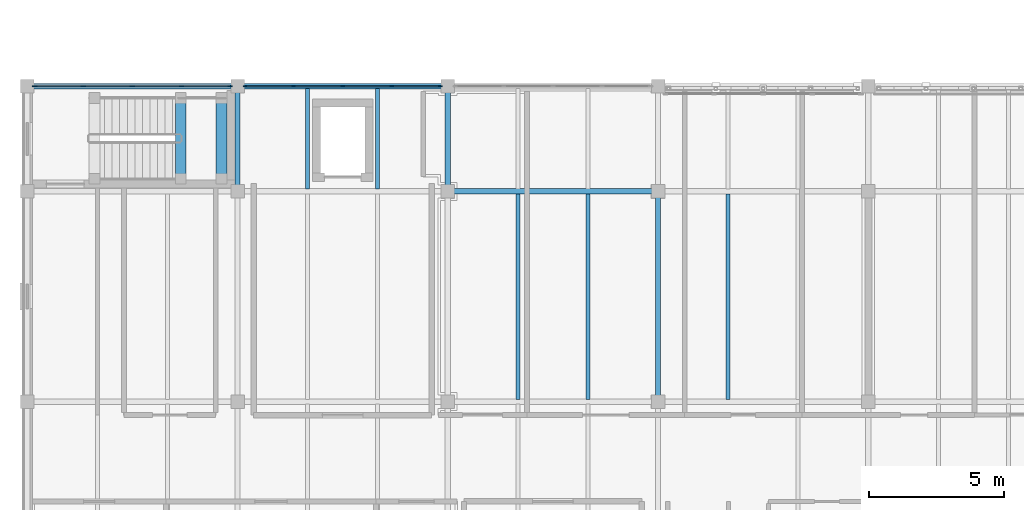
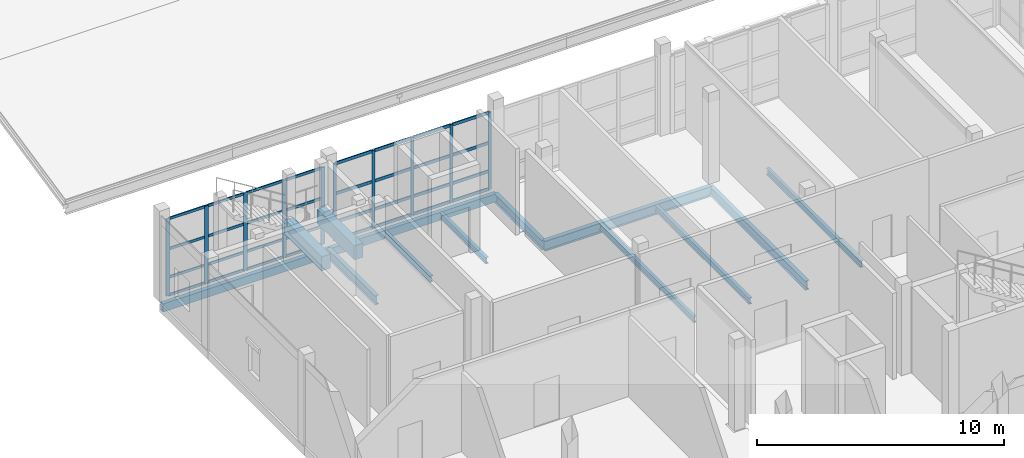
# One storey, part 6 of 89: 42 members, 13 beams, 2 elements without a shape of their own.
"""IFC4 building model written with IfcOpenShell, lengths in metres."""

from ifc_helpers import new_model, si_unit, direction, frame, origin, origin_2d, place, context, subcontext, project, spatial, rectangle, hollow_rectangle, i_section, extrude, material, layer, layer_set, material_profile, profile_set, type_object, element, aggregate, save


model = new_model("IFC4")

# Units and contexts
model_context = context("Model", 3, precision=1e-05, world=origin(), true_north=direction((0.0, 1.0)))
body_context = subcontext(model_context, "Body", "Model", "MODEL_VIEW")
ifc_project = project(units=[si_unit("LENGTHUNIT", "METRE"), si_unit("AREAUNIT", "SQUARE_METRE"), si_unit("VOLUMEUNIT", "CUBIC_METRE"), si_unit("PLANEANGLEUNIT", "RADIAN"), si_unit("MASSUNIT", "GRAM", prefix="KILO")], contexts=[model_context])

# Site, building, storey
site_placement = place(None, origin())
site = spatial("IfcSite", under=ifc_project, at=site_placement, CompositionType="ELEMENT")
building_placement = place(site_placement, origin())
building = spatial("IfcBuilding", under=site, at=building_placement, Name="Celorna Specialist Clinic", CompositionType="ELEMENT")
storey_placement = place(building_placement, frame((0.0, 0.0, 14.10009765625)))
storey = spatial("IfcBuildingStorey", under=building, at=storey_placement, Name="L03", CompositionType="ELEMENT", Elevation=14.10009765625)

# Beams
ifc_material_1 = material(Name="Steel S355", Category="steel")
ifc_material_profile_1 = material_profile(ifc_material_1, i_section(OverallWidth=0.199951171875, OverallDepth=0.5, WebThickness=0.01025390625, FlangeThickness=0.01611328125, at=origin_2d()), Name="IPE 500")
ifc_profile_set_1 = profile_set([ifc_material_profile_1], Name="Steel S355")
beam_type_1 = type_object("IfcBeamType", Name="BM-08", PredefinedType="BEAM", material=ifc_profile_set_1)
beam_1_placement = place(storey_placement, frame((15.60009765625, 23.39990234375, -0.510009765625), z_axis=(1.0, 0.0, 0.0), x_axis=(0.0, 1.0, 0.0)))
element("IfcBeam", 1, at=beam_1_placement, inside=storey, type_object=beam_type_1, Name="Primary girder BM-08 #1847", PredefinedType="BEAM", context=body_context, shape_type="SweptSolid", body=[
    extrude(i_section(OverallWidth=0.199951171875, OverallDepth=0.5, WebThickness=0.01025390625, FlangeThickness=0.01611328125, at=origin_2d()), origin(), (0.0, 0.0, 1.0), 7.7998046875),
])
ifc_material_profile_2 = material_profile(ifc_material_1, i_section(OverallWidth=0.18994140625, OverallDepth=0.449951171875, WebThickness=0.009521484375, FlangeThickness=0.0146484375, at=origin_2d()), Name="IPE 450")
ifc_profile_set_2 = profile_set([ifc_material_profile_2], Name="Steel S355")
beam_type_2 = type_object("IfcBeamType", Name="BM-09", PredefinedType="BEAM", material=ifc_profile_set_2)
for number, where, z_axis, x_axis, name in (
    (2, (7.800048828125, 23.39990234375, -0.485107421875), (0.0, 1.0, 0.0), (-1.0, 0.0, 0.0), "Transverse girder BM-09 #1864"),
    (3, (15.60009765625, 23.39990234375, -0.485107421875), (0.0, 1.0, 0.0), (-1.0, 0.0, 0.0), "Transverse girder BM-09 #1869"),
):
    element("IfcBeam", number, at=place(storey_placement, frame(where, z_axis=z_axis, x_axis=x_axis)), inside=storey, type_object=beam_type_2, Name=name, PredefinedType="BEAM", context=body_context, shape_type="SweptSolid", body=[
        extrude(i_section(OverallWidth=0.18994140625, OverallDepth=0.449951171875, WebThickness=0.009521484375, FlangeThickness=0.0146484375, at=origin_2d()), origin(), (0.0, 0.0, 1.0), 3.900146484375),
    ])
beam_2_placement = place(storey_placement, frame((23.39990234375, 15.60009765625, -0.485107421875), z_axis=(0.0, 1.0, 0.0), x_axis=(-1.0, 0.0, 0.0)))
element("IfcBeam", 4, at=beam_2_placement, inside=storey, type_object=beam_type_2, Name="Transverse girder BM-09 #1873", PredefinedType="BEAM", context=body_context, shape_type="SweptSolid", body=[
    extrude(i_section(OverallWidth=0.18994140625, OverallDepth=0.449951171875, WebThickness=0.009521484375, FlangeThickness=0.0146484375, at=origin_2d()), origin(), (0.0, 0.0, 1.0), 7.7998046875),
])
ifc_material_profile_3 = material_profile(ifc_material_1, i_section(OverallWidth=0.14990234375, OverallDepth=0.300048828125, WebThickness=0.007080078125, FlangeThickness=0.0107421875, at=origin_2d()), Name="IPE 300")
ifc_profile_set_3 = profile_set([ifc_material_profile_3], Name="Steel S355")
beam_type_3 = type_object("IfcBeamType", Name="BM-13", PredefinedType="JOIST", material=ifc_profile_set_3)
for number, where, z_axis, x_axis, name in (
    (5, (10.39990234375, 23.488037109375, -0.41015625), (0.0, 1.0, 0.0), (-1.0, 0.0, 0.0), "Secondary floor joist BM-13 #1901"),
    (6, (13.0, 23.488037109375, -0.41015625), (0.0, 1.0, 0.0), (-1.0, 0.0, 0.0), "Secondary floor joist BM-13 #1902"),
):
    element("IfcBeam", number, at=place(storey_placement, frame(where, z_axis=z_axis, x_axis=x_axis)), inside=storey, type_object=beam_type_3, Name=name, PredefinedType="JOIST", context=body_context, shape_type="SweptSolid", body=[
        extrude(i_section(OverallWidth=0.14990234375, OverallDepth=0.300048828125, WebThickness=0.007080078125, FlangeThickness=0.0107421875, at=origin_2d()), origin(), (0.0, 0.0, 1.0), 3.723876953125),
    ])
for number, where, z_axis, x_axis, name in (
    (7, (18.199951171875, 15.68798828125, -0.41015625), (0.0, 1.0, 0.0), (-1.0, 0.0, 0.0), "Secondary floor joist BM-13 #1909"),
    (8, (20.800048828125, 15.68798828125, -0.41015625), (0.0, 1.0, 0.0), (-1.0, 0.0, 0.0), "Secondary floor joist BM-13 #1910"),
    (9, (26.0, 15.68798828125, -0.41015625), (0.0, 1.0, 0.0), (-1.0, 0.0, 0.0), "Secondary floor joist BM-13 #1916"),
):
    element("IfcBeam", number, at=place(storey_placement, frame(where, z_axis=z_axis, x_axis=x_axis)), inside=storey, type_object=beam_type_3, Name=name, PredefinedType="JOIST", context=body_context, shape_type="SweptSolid", body=[
        extrude(i_section(OverallWidth=0.14990234375, OverallDepth=0.300048828125, WebThickness=0.007080078125, FlangeThickness=0.0107421875, at=origin_2d()), origin(), (0.0, 0.0, 1.0), 7.6240234375),
    ])
ifc_material_profile_4 = material_profile(ifc_material_1, hollow_rectangle(XDim=0.199951171875, YDim=0.39990234375, WallThickness=0.011962890625, at=origin_2d()), Name="RHS 200x400x12")
ifc_profile_set_4 = profile_set([ifc_material_profile_4], Name="Steel S355")
beam_type_4 = type_object("IfcBeamType", Name="BM-15", PredefinedType="SPANDREL", material=ifc_profile_set_4)
for number, where, z_axis, x_axis, name in (
    (10, (0.0, 27.300048828125, -0.460205078125), (1.0, 0.0, 0.0), (0.0, 1.0, 0.0), "Spandrel beam BM-15 #1850"),
    (11, (7.800048828125, 27.300048828125, -0.460205078125), (1.0, 0.0, 0.0), (0.0, 1.0, 0.0), "Spandrel beam BM-15 #1851"),
):
    element("IfcBeam", number, at=place(storey_placement, frame(where, z_axis=z_axis, x_axis=x_axis)), inside=storey, type_object=beam_type_4, Name=name, PredefinedType="SPANDREL", context=body_context, shape_type="SweptSolid", body=[
        extrude(hollow_rectangle(XDim=0.199951171875, YDim=0.39990234375, WallThickness=0.011962890625, at=origin_2d()), origin(), (0.0, 0.0, 1.0), 7.800048828125),
    ])
ifc_material_2 = material(Name="Concrete C35/45", Category="concrete")
ifc_material_profile_5 = material_profile(ifc_material_2, rectangle(XDim=0.39990234375, YDim=0.699951171875, at=origin_2d()), Name="RC 400x700")
ifc_profile_set_5 = profile_set([ifc_material_profile_5], Name="Concrete C35/45")
beam_type_5 = type_object("IfcBeamType", Name="BM-19", PredefinedType="BEAM", material=ifc_profile_set_5)
for number, where, z_axis, x_axis, name in (
    (12, (5.68994140625, 23.8701171875, 1.824951171875), (0.0, 1.0, 0.0), (-1.0, 0.0, 0.0), "Stair ST-04 half-landing beam L03"),
    (13, (7.2099609375, 23.8701171875, 1.824951171875), (0.0, 1.0, 0.0), (-1.0, 0.0, 0.0), "Stair ST-04 half-landing beam L03"),
):
    element("IfcBeam", number, at=place(storey_placement, frame(where, z_axis=z_axis, x_axis=x_axis)), inside=storey, type_object=beam_type_5, Name=name, PredefinedType="BEAM", context=body_context, shape_type="SweptSolid", body=[
        extrude(rectangle(XDim=0.39990234375, YDim=0.699951171875, at=origin_2d()), origin(), (0.0, 0.0, 1.0), 3.0),
    ])

# Curtain wall, members
ifc_material_3 = material(Name="Thermally broken aluminium and solar-control glass curtain wall", Category="aluminium")
ifc_layer_1 = layer(ifc_material_3, 0.159912109375, Name="Thermally broken aluminium and solar-control glass curtain wall")
ifc_layer_set_1 = layer_set([ifc_layer_1], Name="Thermally broken aluminium and solar-control glass curtain wall")
curtain_wall_type_1 = type_object("IfcCurtainWallType", Name="CW-94", PredefinedType="NOTDEFINED", material=ifc_layer_set_1)
curtain_wall_1_placement = place(storey_placement, origin())
curtain_wall_1 = element("IfcCurtainWall", 14, at=curtain_wall_1_placement, inside=storey, type_object=curtain_wall_type_1, Name="Curtain wall CW-94 #170", PredefinedType="NOTDEFINED")
ifc_material_4 = material(Name="Anodized aluminium mullion", Category="aluminium")
ifc_material_profile_6 = material_profile(ifc_material_4, rectangle(XDim=0.050048828125, YDim=0.179931640625, at=origin_2d()), Name="ALU MULLION 50x180")
ifc_profile_set_6 = profile_set([ifc_material_profile_6], Name="Anodized aluminium mullion")
member_type_1 = type_object("IfcMemberType", Name="ML-02", PredefinedType="MULLION", material=ifc_profile_set_6)
member_1_placement = place(storey_placement, frame((0.279052734375, 27.300048828125, 0.0), z_axis=(0.0, 0.0, 1.0), x_axis=(0.0, 1.0, 0.0)))
member_1 = element("IfcMember", 15, at=member_1_placement, type_object=member_type_1, Name="CW-94 mullion 1", PredefinedType="MULLION", context=body_context, shape_type="SweptSolid", body=[
    extrude(rectangle(XDim=0.050048828125, YDim=0.179931640625, at=origin_2d()), origin(), (0.0, 0.0, 1.0), 3.81982421875),
])
member_2_placement = place(storey_placement, frame((2.076904296875, 27.300048828125, 0.0), z_axis=(0.0, 0.0, 1.0), x_axis=(0.0, 1.0, 0.0)))
member_2 = element("IfcMember", 16, at=member_2_placement, type_object=member_type_1, Name="CW-94 mullion 2", PredefinedType="MULLION", context=body_context, shape_type="SweptSolid", body=[
    extrude(rectangle(XDim=0.050048828125, YDim=0.179931640625, at=origin_2d()), origin(), (0.0, 0.0, 1.0), 3.81982421875),
])
member_3_placement = place(storey_placement, frame((3.89990234375, 27.300048828125, 0.0), z_axis=(0.0, 0.0, 1.0), x_axis=(0.0, 1.0, 0.0)))
member_3 = element("IfcMember", 17, at=member_3_placement, type_object=member_type_1, Name="CW-94 mullion 3", PredefinedType="MULLION", context=body_context, shape_type="SweptSolid", body=[
    extrude(rectangle(XDim=0.050048828125, YDim=0.179931640625, at=origin_2d()), origin(), (0.0, 0.0, 1.0), 3.81982421875),
])
member_4_placement = place(storey_placement, frame((5.722900390625, 27.300048828125, 0.0), z_axis=(0.0, 0.0, 1.0), x_axis=(0.0, 1.0, 0.0)))
member_4 = element("IfcMember", 18, at=member_4_placement, type_object=member_type_1, Name="CW-94 mullion 4", PredefinedType="MULLION", context=body_context, shape_type="SweptSolid", body=[
    extrude(rectangle(XDim=0.050048828125, YDim=0.179931640625, at=origin_2d()), origin(), (0.0, 0.0, 1.0), 3.81982421875),
])
member_5_placement = place(storey_placement, frame((7.52099609375, 27.300048828125, 0.0), z_axis=(0.0, 0.0, 1.0), x_axis=(0.0, 1.0, 0.0)))
member_5 = element("IfcMember", 19, at=member_5_placement, type_object=member_type_1, Name="CW-94 mullion 5", PredefinedType="MULLION", context=body_context, shape_type="SweptSolid", body=[
    extrude(rectangle(XDim=0.050048828125, YDim=0.179931640625, at=origin_2d()), origin(), (0.0, 0.0, 1.0), 3.81982421875),
])

ifc_layer_2 = layer(ifc_material_3, 0.159912109375, Name="Thermally broken aluminium and solar-control glass curtain wall")
ifc_layer_set_2 = layer_set([ifc_layer_2], Name="Thermally broken aluminium and solar-control glass curtain wall")
curtain_wall_type_2 = type_object("IfcCurtainWallType", Name="CW-95", PredefinedType="NOTDEFINED", material=ifc_layer_set_2)
curtain_wall_2_placement = place(storey_placement, origin())
curtain_wall_2 = element("IfcCurtainWall", 20, at=curtain_wall_2_placement, inside=storey, type_object=curtain_wall_type_2, Name="Curtain wall CW-95 #171", PredefinedType="NOTDEFINED")
ifc_material_profile_7 = material_profile(ifc_material_4, rectangle(XDim=0.050048828125, YDim=0.139892578125, at=origin_2d()), Name="ALU MULLION 50x140")
ifc_profile_set_7 = profile_set([ifc_material_profile_7], Name="Anodized aluminium mullion")
member_type_2 = type_object("IfcMemberType", Name="ML-03", PredefinedType="MULLION", material=ifc_profile_set_7)
member_6_placement = place(storey_placement, frame((8.0791015625, 27.300048828125, 0.0), z_axis=(0.0, 0.0, 1.0), x_axis=(0.0, 1.0, 0.0)))
member_6 = element("IfcMember", 21, at=member_6_placement, type_object=member_type_2, Name="CW-95 mullion 1", PredefinedType="MULLION", context=body_context, shape_type="SweptSolid", body=[
    extrude(rectangle(XDim=0.050048828125, YDim=0.139892578125, at=origin_2d()), origin(), (0.0, 0.0, 1.0), 3.81982421875),
])
member_7_placement = place(storey_placement, frame((9.876953125, 27.300048828125, 0.0), z_axis=(0.0, 0.0, 1.0), x_axis=(0.0, 1.0, 0.0)))
member_7 = element("IfcMember", 22, at=member_7_placement, type_object=member_type_2, Name="CW-95 mullion 2", PredefinedType="MULLION", context=body_context, shape_type="SweptSolid", body=[
    extrude(rectangle(XDim=0.050048828125, YDim=0.139892578125, at=origin_2d()), origin(), (0.0, 0.0, 1.0), 3.81982421875),
])
member_8_placement = place(storey_placement, frame((11.699951171875, 27.300048828125, 0.0), z_axis=(0.0, 0.0, 1.0), x_axis=(0.0, 1.0, 0.0)))
member_8 = element("IfcMember", 23, at=member_8_placement, type_object=member_type_2, Name="CW-95 mullion 3", PredefinedType="MULLION", context=body_context, shape_type="SweptSolid", body=[
    extrude(rectangle(XDim=0.050048828125, YDim=0.139892578125, at=origin_2d()), origin(), (0.0, 0.0, 1.0), 3.81982421875),
])
member_9_placement = place(storey_placement, frame((13.52294921875, 27.300048828125, 0.0), z_axis=(0.0, 0.0, 1.0), x_axis=(0.0, 1.0, 0.0)))
member_9 = element("IfcMember", 24, at=member_9_placement, type_object=member_type_2, Name="CW-95 mullion 4", PredefinedType="MULLION", context=body_context, shape_type="SweptSolid", body=[
    extrude(rectangle(XDim=0.050048828125, YDim=0.139892578125, at=origin_2d()), origin(), (0.0, 0.0, 1.0), 3.81982421875),
])
member_10_placement = place(storey_placement, frame((15.321044921875, 27.300048828125, 0.0), z_axis=(0.0, 0.0, 1.0), x_axis=(0.0, 1.0, 0.0)))
member_10 = element("IfcMember", 25, at=member_10_placement, type_object=member_type_2, Name="CW-95 mullion 5", PredefinedType="MULLION", context=body_context, shape_type="SweptSolid", body=[
    extrude(rectangle(XDim=0.050048828125, YDim=0.139892578125, at=origin_2d()), origin(), (0.0, 0.0, 1.0), 3.81982421875),
])

# Member
ifc_material_5 = material(Name="Anodized aluminium transom", Category="aluminium")
ifc_material_profile_8 = material_profile(ifc_material_5, rectangle(XDim=0.050048828125, YDim=0.1298828125, at=origin_2d()), Name="ALU TRANSOM 50x130")
ifc_profile_set_8 = profile_set([ifc_material_profile_8], Name="Anodized aluminium transom")
member_type_3 = type_object("IfcMemberType", Name="TR-01", PredefinedType="USERDEFINED", material=ifc_profile_set_8)
member_11_placement = place(storey_placement, frame((0.303955078125, 27.300048828125, 0.02490234375), z_axis=(1.0, 0.0, 0.0), x_axis=(0.0, 1.0, 0.0)))
member_11 = element("IfcMember", 26, at=member_11_placement, type_object=member_type_3, Name="CW-94 transom 1.1", ObjectType="TRANSOM", PredefinedType="USERDEFINED", context=body_context, shape_type="SweptSolid", body=[
    extrude(rectangle(XDim=0.050048828125, YDim=0.1298828125, at=origin_2d()), origin(), (0.0, 0.0, 1.0), 1.748046875),
])

member_12_placement = place(storey_placement, frame((0.303955078125, 27.300048828125, 0.89990234375), z_axis=(1.0, 0.0, 0.0), x_axis=(0.0, 1.0, 0.0)))
member_12 = element("IfcMember", 27, at=member_12_placement, type_object=member_type_3, Name="CW-94 transom 1.2", ObjectType="TRANSOM", PredefinedType="USERDEFINED", context=body_context, shape_type="SweptSolid", body=[
    extrude(rectangle(XDim=0.050048828125, YDim=0.1298828125, at=origin_2d()), origin(), (0.0, 0.0, 1.0), 1.748046875),
])

member_13_placement = place(storey_placement, frame((0.303955078125, 27.300048828125, 2.2998046875), z_axis=(1.0, 0.0, 0.0), x_axis=(0.0, 1.0, 0.0)))
member_13 = element("IfcMember", 28, at=member_13_placement, type_object=member_type_3, Name="CW-94 transom 1.3", ObjectType="TRANSOM", PredefinedType="USERDEFINED", context=body_context, shape_type="SweptSolid", body=[
    extrude(rectangle(XDim=0.050048828125, YDim=0.1298828125, at=origin_2d()), origin(), (0.0, 0.0, 1.0), 1.748046875),
])

member_14_placement = place(storey_placement, frame((0.303955078125, 27.300048828125, 3.794921875), z_axis=(1.0, 0.0, 0.0), x_axis=(0.0, 1.0, 0.0)))
member_14 = element("IfcMember", 29, at=member_14_placement, type_object=member_type_3, Name="CW-94 transom 1.4", ObjectType="TRANSOM", PredefinedType="USERDEFINED", context=body_context, shape_type="SweptSolid", body=[
    extrude(rectangle(XDim=0.050048828125, YDim=0.1298828125, at=origin_2d()), origin(), (0.0, 0.0, 1.0), 1.748046875),
])

member_15_placement = place(storey_placement, frame((2.10205078125, 27.300048828125, 0.02490234375), z_axis=(1.0, 0.0, 0.0), x_axis=(0.0, 1.0, 0.0)))
member_15 = element("IfcMember", 30, at=member_15_placement, type_object=member_type_3, Name="CW-94 transom 2.1", ObjectType="TRANSOM", PredefinedType="USERDEFINED", context=body_context, shape_type="SweptSolid", body=[
    extrude(rectangle(XDim=0.050048828125, YDim=0.1298828125, at=origin_2d()), origin(), (0.0, 0.0, 1.0), 1.77294921875),
])

member_16_placement = place(storey_placement, frame((2.10205078125, 27.300048828125, 0.89990234375), z_axis=(1.0, 0.0, 0.0), x_axis=(0.0, 1.0, 0.0)))
member_16 = element("IfcMember", 31, at=member_16_placement, type_object=member_type_3, Name="CW-94 transom 2.2", ObjectType="TRANSOM", PredefinedType="USERDEFINED", context=body_context, shape_type="SweptSolid", body=[
    extrude(rectangle(XDim=0.050048828125, YDim=0.1298828125, at=origin_2d()), origin(), (0.0, 0.0, 1.0), 1.77294921875),
])

member_17_placement = place(storey_placement, frame((2.10205078125, 27.300048828125, 2.2998046875), z_axis=(1.0, 0.0, 0.0), x_axis=(0.0, 1.0, 0.0)))
member_17 = element("IfcMember", 32, at=member_17_placement, type_object=member_type_3, Name="CW-94 transom 2.3", ObjectType="TRANSOM", PredefinedType="USERDEFINED", context=body_context, shape_type="SweptSolid", body=[
    extrude(rectangle(XDim=0.050048828125, YDim=0.1298828125, at=origin_2d()), origin(), (0.0, 0.0, 1.0), 1.77294921875),
])

member_18_placement = place(storey_placement, frame((2.10205078125, 27.300048828125, 3.794921875), z_axis=(1.0, 0.0, 0.0), x_axis=(0.0, 1.0, 0.0)))
member_18 = element("IfcMember", 33, at=member_18_placement, type_object=member_type_3, Name="CW-94 transom 2.4", ObjectType="TRANSOM", PredefinedType="USERDEFINED", context=body_context, shape_type="SweptSolid", body=[
    extrude(rectangle(XDim=0.050048828125, YDim=0.1298828125, at=origin_2d()), origin(), (0.0, 0.0, 1.0), 1.77294921875),
])

member_19_placement = place(storey_placement, frame((3.925048828125, 27.300048828125, 0.02490234375), z_axis=(1.0, 0.0, 0.0), x_axis=(0.0, 1.0, 0.0)))
member_19 = element("IfcMember", 34, at=member_19_placement, type_object=member_type_3, Name="CW-94 transom 3.1", ObjectType="TRANSOM", PredefinedType="USERDEFINED", context=body_context, shape_type="SweptSolid", body=[
    extrude(rectangle(XDim=0.050048828125, YDim=0.1298828125, at=origin_2d()), origin(), (0.0, 0.0, 1.0), 1.77294921875),
])

member_20_placement = place(storey_placement, frame((3.925048828125, 27.300048828125, 0.89990234375), z_axis=(1.0, 0.0, 0.0), x_axis=(0.0, 1.0, 0.0)))
member_20 = element("IfcMember", 35, at=member_20_placement, type_object=member_type_3, Name="CW-94 transom 3.2", ObjectType="TRANSOM", PredefinedType="USERDEFINED", context=body_context, shape_type="SweptSolid", body=[
    extrude(rectangle(XDim=0.050048828125, YDim=0.1298828125, at=origin_2d()), origin(), (0.0, 0.0, 1.0), 1.77294921875),
])

member_21_placement = place(storey_placement, frame((3.925048828125, 27.300048828125, 2.2998046875), z_axis=(1.0, 0.0, 0.0), x_axis=(0.0, 1.0, 0.0)))
member_21 = element("IfcMember", 36, at=member_21_placement, type_object=member_type_3, Name="CW-94 transom 3.3", ObjectType="TRANSOM", PredefinedType="USERDEFINED", context=body_context, shape_type="SweptSolid", body=[
    extrude(rectangle(XDim=0.050048828125, YDim=0.1298828125, at=origin_2d()), origin(), (0.0, 0.0, 1.0), 1.77294921875),
])

member_22_placement = place(storey_placement, frame((3.925048828125, 27.300048828125, 3.794921875), z_axis=(1.0, 0.0, 0.0), x_axis=(0.0, 1.0, 0.0)))
member_22 = element("IfcMember", 37, at=member_22_placement, type_object=member_type_3, Name="CW-94 transom 3.4", ObjectType="TRANSOM", PredefinedType="USERDEFINED", context=body_context, shape_type="SweptSolid", body=[
    extrude(rectangle(XDim=0.050048828125, YDim=0.1298828125, at=origin_2d()), origin(), (0.0, 0.0, 1.0), 1.77294921875),
])

member_23_placement = place(storey_placement, frame((5.748046875, 27.300048828125, 0.02490234375), z_axis=(1.0, 0.0, 0.0), x_axis=(0.0, 1.0, 0.0)))
member_23 = element("IfcMember", 38, at=member_23_placement, type_object=member_type_3, Name="CW-94 transom 4.1", ObjectType="TRANSOM", PredefinedType="USERDEFINED", context=body_context, shape_type="SweptSolid", body=[
    extrude(rectangle(XDim=0.050048828125, YDim=0.1298828125, at=origin_2d()), origin(), (0.0, 0.0, 1.0), 1.748046875),
])

member_24_placement = place(storey_placement, frame((5.748046875, 27.300048828125, 0.89990234375), z_axis=(1.0, 0.0, 0.0), x_axis=(0.0, 1.0, 0.0)))
member_24 = element("IfcMember", 39, at=member_24_placement, type_object=member_type_3, Name="CW-94 transom 4.2", ObjectType="TRANSOM", PredefinedType="USERDEFINED", context=body_context, shape_type="SweptSolid", body=[
    extrude(rectangle(XDim=0.050048828125, YDim=0.1298828125, at=origin_2d()), origin(), (0.0, 0.0, 1.0), 1.748046875),
])

member_25_placement = place(storey_placement, frame((5.748046875, 27.300048828125, 2.2998046875), z_axis=(1.0, 0.0, 0.0), x_axis=(0.0, 1.0, 0.0)))
member_25 = element("IfcMember", 40, at=member_25_placement, type_object=member_type_3, Name="CW-94 transom 4.3", ObjectType="TRANSOM", PredefinedType="USERDEFINED", context=body_context, shape_type="SweptSolid", body=[
    extrude(rectangle(XDim=0.050048828125, YDim=0.1298828125, at=origin_2d()), origin(), (0.0, 0.0, 1.0), 1.748046875),
])

member_26_placement = place(storey_placement, frame((5.748046875, 27.300048828125, 3.794921875), z_axis=(1.0, 0.0, 0.0), x_axis=(0.0, 1.0, 0.0)))
member_26 = element("IfcMember", 41, at=member_26_placement, type_object=member_type_3, Name="CW-94 transom 4.4", ObjectType="TRANSOM", PredefinedType="USERDEFINED", context=body_context, shape_type="SweptSolid", body=[
    extrude(rectangle(XDim=0.050048828125, YDim=0.1298828125, at=origin_2d()), origin(), (0.0, 0.0, 1.0), 1.748046875),
])

aggregate(curtain_wall_1, [member_1, member_2, member_3, member_4, member_5, member_11, member_12, member_13, member_14, member_15, member_16, member_17, member_18, member_19, member_20, member_21, member_22, member_23, member_24, member_25, member_26])

ifc_material_profile_9 = material_profile(ifc_material_5, rectangle(XDim=0.050048828125, YDim=0.14990234375, at=origin_2d()), Name="ALU TRANSOM 50x150")
ifc_profile_set_9 = profile_set([ifc_material_profile_9], Name="Anodized aluminium transom")
member_type_4 = type_object("IfcMemberType", Name="TR-02", PredefinedType="USERDEFINED", material=ifc_profile_set_9)
member_27_placement = place(storey_placement, frame((8.10400390625, 27.300048828125, 0.02490234375), z_axis=(1.0, 0.0, 0.0), x_axis=(0.0, 1.0, 0.0)))
member_27 = element("IfcMember", 42, at=member_27_placement, type_object=member_type_4, Name="CW-95 transom 1.1", ObjectType="TRANSOM", PredefinedType="USERDEFINED", context=body_context, shape_type="SweptSolid", body=[
    extrude(rectangle(XDim=0.050048828125, YDim=0.14990234375, at=origin_2d()), origin(), (0.0, 0.0, 1.0), 1.748046875),
])

member_28_placement = place(storey_placement, frame((8.10400390625, 27.300048828125, 0.89990234375), z_axis=(1.0, 0.0, 0.0), x_axis=(0.0, 1.0, 0.0)))
member_28 = element("IfcMember", 43, at=member_28_placement, type_object=member_type_4, Name="CW-95 transom 1.2", ObjectType="TRANSOM", PredefinedType="USERDEFINED", context=body_context, shape_type="SweptSolid", body=[
    extrude(rectangle(XDim=0.050048828125, YDim=0.14990234375, at=origin_2d()), origin(), (0.0, 0.0, 1.0), 1.748046875),
])

member_29_placement = place(storey_placement, frame((8.10400390625, 27.300048828125, 2.2998046875), z_axis=(1.0, 0.0, 0.0), x_axis=(0.0, 1.0, 0.0)))
member_29 = element("IfcMember", 44, at=member_29_placement, type_object=member_type_4, Name="CW-95 transom 1.3", ObjectType="TRANSOM", PredefinedType="USERDEFINED", context=body_context, shape_type="SweptSolid", body=[
    extrude(rectangle(XDim=0.050048828125, YDim=0.14990234375, at=origin_2d()), origin(), (0.0, 0.0, 1.0), 1.748046875),
])

member_30_placement = place(storey_placement, frame((8.10400390625, 27.300048828125, 3.794921875), z_axis=(1.0, 0.0, 0.0), x_axis=(0.0, 1.0, 0.0)))
member_30 = element("IfcMember", 45, at=member_30_placement, type_object=member_type_4, Name="CW-95 transom 1.4", ObjectType="TRANSOM", PredefinedType="USERDEFINED", context=body_context, shape_type="SweptSolid", body=[
    extrude(rectangle(XDim=0.050048828125, YDim=0.14990234375, at=origin_2d()), origin(), (0.0, 0.0, 1.0), 1.748046875),
])

member_31_placement = place(storey_placement, frame((9.902099609375, 27.300048828125, 0.02490234375), z_axis=(1.0, 0.0, 0.0), x_axis=(0.0, 1.0, 0.0)))
member_31 = element("IfcMember", 46, at=member_31_placement, type_object=member_type_4, Name="CW-95 transom 2.1", ObjectType="TRANSOM", PredefinedType="USERDEFINED", context=body_context, shape_type="SweptSolid", body=[
    extrude(rectangle(XDim=0.050048828125, YDim=0.14990234375, at=origin_2d()), origin(), (0.0, 0.0, 1.0), 1.77294921875),
])

member_32_placement = place(storey_placement, frame((9.902099609375, 27.300048828125, 0.89990234375), z_axis=(1.0, 0.0, 0.0), x_axis=(0.0, 1.0, 0.0)))
member_32 = element("IfcMember", 47, at=member_32_placement, type_object=member_type_4, Name="CW-95 transom 2.2", ObjectType="TRANSOM", PredefinedType="USERDEFINED", context=body_context, shape_type="SweptSolid", body=[
    extrude(rectangle(XDim=0.050048828125, YDim=0.14990234375, at=origin_2d()), origin(), (0.0, 0.0, 1.0), 1.77294921875),
])

member_33_placement = place(storey_placement, frame((9.902099609375, 27.300048828125, 2.2998046875), z_axis=(1.0, 0.0, 0.0), x_axis=(0.0, 1.0, 0.0)))
member_33 = element("IfcMember", 48, at=member_33_placement, type_object=member_type_4, Name="CW-95 transom 2.3", ObjectType="TRANSOM", PredefinedType="USERDEFINED", context=body_context, shape_type="SweptSolid", body=[
    extrude(rectangle(XDim=0.050048828125, YDim=0.14990234375, at=origin_2d()), origin(), (0.0, 0.0, 1.0), 1.77294921875),
])

member_34_placement = place(storey_placement, frame((9.902099609375, 27.300048828125, 3.794921875), z_axis=(1.0, 0.0, 0.0), x_axis=(0.0, 1.0, 0.0)))
member_34 = element("IfcMember", 49, at=member_34_placement, type_object=member_type_4, Name="CW-95 transom 2.4", ObjectType="TRANSOM", PredefinedType="USERDEFINED", context=body_context, shape_type="SweptSolid", body=[
    extrude(rectangle(XDim=0.050048828125, YDim=0.14990234375, at=origin_2d()), origin(), (0.0, 0.0, 1.0), 1.77294921875),
])

member_35_placement = place(storey_placement, frame((11.72509765625, 27.300048828125, 0.02490234375), z_axis=(1.0, 0.0, 0.0), x_axis=(0.0, 1.0, 0.0)))
member_35 = element("IfcMember", 50, at=member_35_placement, type_object=member_type_4, Name="CW-95 transom 3.1", ObjectType="TRANSOM", PredefinedType="USERDEFINED", context=body_context, shape_type="SweptSolid", body=[
    extrude(rectangle(XDim=0.050048828125, YDim=0.14990234375, at=origin_2d()), origin(), (0.0, 0.0, 1.0), 1.77294921875),
])

member_36_placement = place(storey_placement, frame((11.72509765625, 27.300048828125, 0.89990234375), z_axis=(1.0, 0.0, 0.0), x_axis=(0.0, 1.0, 0.0)))
member_36 = element("IfcMember", 51, at=member_36_placement, type_object=member_type_4, Name="CW-95 transom 3.2", ObjectType="TRANSOM", PredefinedType="USERDEFINED", context=body_context, shape_type="SweptSolid", body=[
    extrude(rectangle(XDim=0.050048828125, YDim=0.14990234375, at=origin_2d()), origin(), (0.0, 0.0, 1.0), 1.77294921875),
])

member_37_placement = place(storey_placement, frame((11.72509765625, 27.300048828125, 2.2998046875), z_axis=(1.0, 0.0, 0.0), x_axis=(0.0, 1.0, 0.0)))
member_37 = element("IfcMember", 52, at=member_37_placement, type_object=member_type_4, Name="CW-95 transom 3.3", ObjectType="TRANSOM", PredefinedType="USERDEFINED", context=body_context, shape_type="SweptSolid", body=[
    extrude(rectangle(XDim=0.050048828125, YDim=0.14990234375, at=origin_2d()), origin(), (0.0, 0.0, 1.0), 1.77294921875),
])

member_38_placement = place(storey_placement, frame((11.72509765625, 27.300048828125, 3.794921875), z_axis=(1.0, 0.0, 0.0), x_axis=(0.0, 1.0, 0.0)))
member_38 = element("IfcMember", 53, at=member_38_placement, type_object=member_type_4, Name="CW-95 transom 3.4", ObjectType="TRANSOM", PredefinedType="USERDEFINED", context=body_context, shape_type="SweptSolid", body=[
    extrude(rectangle(XDim=0.050048828125, YDim=0.14990234375, at=origin_2d()), origin(), (0.0, 0.0, 1.0), 1.77294921875),
])

member_39_placement = place(storey_placement, frame((13.548095703125, 27.300048828125, 0.02490234375), z_axis=(1.0, 0.0, 0.0), x_axis=(0.0, 1.0, 0.0)))
member_39 = element("IfcMember", 54, at=member_39_placement, type_object=member_type_4, Name="CW-95 transom 4.1", ObjectType="TRANSOM", PredefinedType="USERDEFINED", context=body_context, shape_type="SweptSolid", body=[
    extrude(rectangle(XDim=0.050048828125, YDim=0.14990234375, at=origin_2d()), origin(), (0.0, 0.0, 1.0), 1.747802734375),
])

member_40_placement = place(storey_placement, frame((13.548095703125, 27.300048828125, 0.89990234375), z_axis=(1.0, 0.0, 0.0), x_axis=(0.0, 1.0, 0.0)))
member_40 = element("IfcMember", 55, at=member_40_placement, type_object=member_type_4, Name="CW-95 transom 4.2", ObjectType="TRANSOM", PredefinedType="USERDEFINED", context=body_context, shape_type="SweptSolid", body=[
    extrude(rectangle(XDim=0.050048828125, YDim=0.14990234375, at=origin_2d()), origin(), (0.0, 0.0, 1.0), 1.747802734375),
])

member_41_placement = place(storey_placement, frame((13.548095703125, 27.300048828125, 2.2998046875), z_axis=(1.0, 0.0, 0.0), x_axis=(0.0, 1.0, 0.0)))
member_41 = element("IfcMember", 56, at=member_41_placement, type_object=member_type_4, Name="CW-95 transom 4.3", ObjectType="TRANSOM", PredefinedType="USERDEFINED", context=body_context, shape_type="SweptSolid", body=[
    extrude(rectangle(XDim=0.050048828125, YDim=0.14990234375, at=origin_2d()), origin(), (0.0, 0.0, 1.0), 1.747802734375),
])

member_42_placement = place(storey_placement, frame((13.548095703125, 27.300048828125, 3.794921875), z_axis=(1.0, 0.0, 0.0), x_axis=(0.0, 1.0, 0.0)))
member_42 = element("IfcMember", 57, at=member_42_placement, type_object=member_type_4, Name="CW-95 transom 4.4", ObjectType="TRANSOM", PredefinedType="USERDEFINED", context=body_context, shape_type="SweptSolid", body=[
    extrude(rectangle(XDim=0.050048828125, YDim=0.14990234375, at=origin_2d()), origin(), (0.0, 0.0, 1.0), 1.747802734375),
])

aggregate(curtain_wall_2, [member_6, member_7, member_8, member_9, member_10, member_27, member_28, member_29, member_30, member_31, member_32, member_33, member_34, member_35, member_36, member_37, member_38, member_39, member_40, member_41, member_42])

save(model, "model.ifc")
